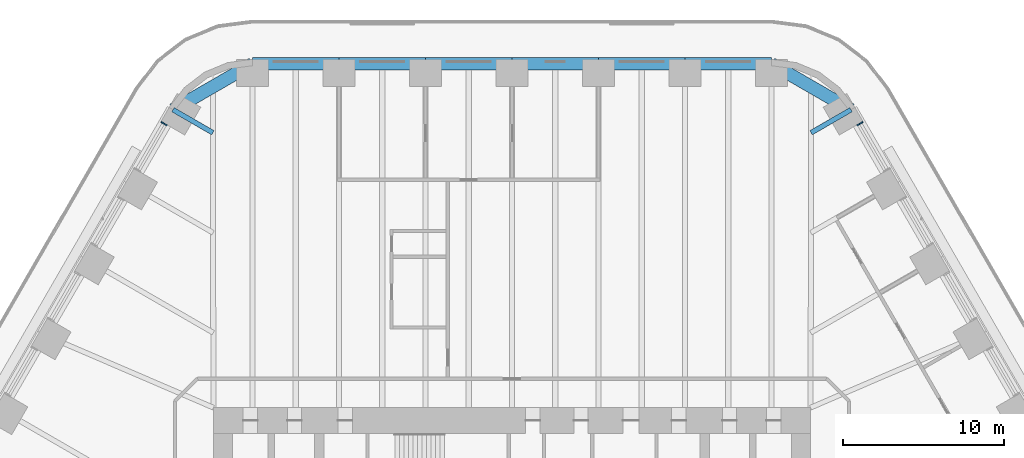
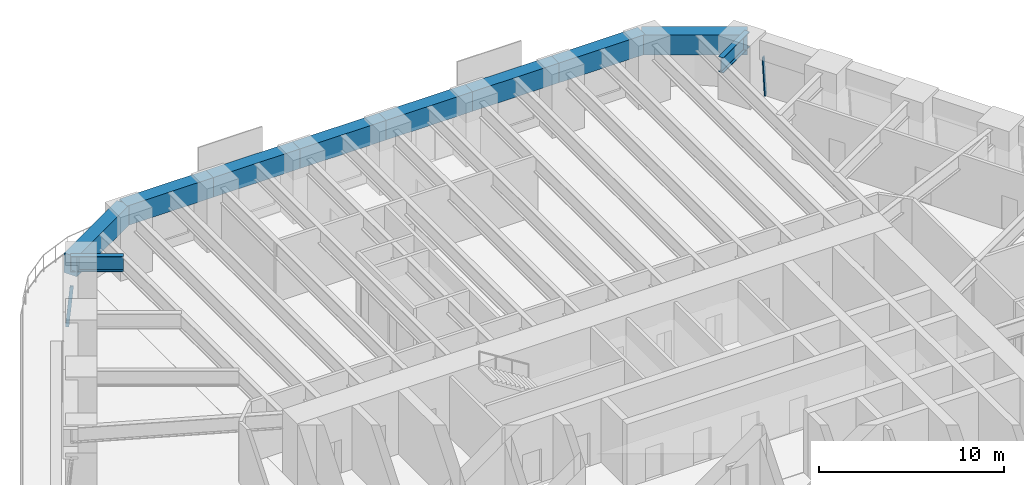
# One storey, part 14 of 24: 10 beams, 2 members, 2 elements without a shape of their own.
"""IFC4 building model written with IfcOpenShell, lengths in metres."""

from ifc_helpers import new_model, si_unit, direction, frame, origin, origin_2d, place, context, subcontext, project, spatial, rectangle, i_section, extrude, material, material_profile, profile_set, type_object, element, aggregate, save


model = new_model("IFC4")

# Units and contexts
model_context = context("Model", 3, precision=1e-05, world=origin(), true_north=direction((0.0, 1.0)))
body_context = subcontext(model_context, "Body", "Model", "MODEL_VIEW")
ifc_project = project(units=[si_unit("LENGTHUNIT", "METRE"), si_unit("AREAUNIT", "SQUARE_METRE"), si_unit("VOLUMEUNIT", "CUBIC_METRE"), si_unit("PLANEANGLEUNIT", "RADIAN"), si_unit("MASSUNIT", "GRAM", prefix="KILO")], contexts=[model_context])

# Site, building, storey
site_placement = place(None, origin())
site = spatial("IfcSite", under=ifc_project, at=site_placement, CompositionType="ELEMENT")
building_placement = place(site_placement, origin())
building = spatial("IfcBuilding", under=site, at=building_placement, Name="Tarfa Lantern Tower", CompositionType="ELEMENT")
storey_placement = place(building_placement, frame((0.0, 0.0, 73.89990234375)))
storey = spatial("IfcBuildingStorey", under=building, at=storey_placement, Name="L16", CompositionType="ELEMENT", Elevation=73.89990234375)

# Curtain wall, member
ifc_material_1 = material(Name="Aluminium framed curtain wall", Category="aluminium")
curtain_wall_type = type_object("IfcCurtainWallType", Name="CW1 CANTED GLAZING LOW ZONE 2700", PredefinedType="USERDEFINED", material=ifc_material_1)
curtain_wall_1_placement = place(storey_placement, origin())
curtain_wall_1 = element("IfcCurtainWall", 1, at=curtain_wall_1_placement, inside=storey, type_object=curtain_wall_type, Name="CW1 NE L16", ObjectType="CURTAIN WALL", PredefinedType="USERDEFINED")
ifc_material_2 = material(Name="Aluminium mullion", Category="aluminium")
ifc_material_profile_1 = material_profile(ifc_material_2, rectangle(XDim=0.06494140625, YDim=0.199951171875, at=origin_2d()), Name="AL MULLION 65x200")
ifc_profile_set_1 = profile_set([ifc_material_profile_1], Name="Aluminium mullion")
member_type = type_object("IfcMemberType", Name="CWM1 MULLION 65x200", PredefinedType="MULLION", material=ifc_profile_set_1)
member_1_placement = place(storey_placement, frame((21.79150390625, 30.055908203125, 0.0), z_axis=(-0.079767804165, -0.046096067418, 0.995747081335), x_axis=(0.500342721131, -0.865827443207, 0.0)))
member_1 = element("IfcMember", 2, at=member_1_placement, type_object=member_type, Name="CW1 mullion 2", PredefinedType="MULLION", context=body_context, shape_type="SweptSolid", body=[
    extrude(rectangle(XDim=0.06494140625, YDim=0.199951171875, at=origin_2d()), origin(), (0.0, 0.0, 1.0), 2.711669921875),
])
aggregate(curtain_wall_1, [member_1])

curtain_wall_2_placement = place(storey_placement, origin())
curtain_wall_2 = element("IfcCurtainWall", 3, at=curtain_wall_2_placement, inside=storey, type_object=curtain_wall_type, Name="CW1 NW L16", ObjectType="CURTAIN WALL", PredefinedType="USERDEFINED")
member_2_placement = place(storey_placement, frame((-21.79150390625, 30.055908203125, 0.0), z_axis=(0.079767804165, -0.046096067418, 0.995747081335), x_axis=(0.500342721131, 0.865827443207, 0.0)))
member_2 = element("IfcMember", 4, at=member_2_placement, type_object=member_type, Name="CW1 mullion 1", PredefinedType="MULLION", context=body_context, shape_type="SweptSolid", body=[
    extrude(rectangle(XDim=0.06494140625, YDim=0.199951171875, at=origin_2d()), origin(), (0.0, 0.0, 1.0), 2.711669921875),
])
aggregate(curtain_wall_2, [member_2])

# Beams
ifc_material_3 = material(Name="Concrete C80/95", Category="concrete")
ifc_material_profile_2 = material_profile(ifc_material_3, rectangle(XDim=0.800048828125, YDim=1.300048828125, at=origin_2d()), Name="RC 800x1300")
ifc_profile_set_2 = profile_set([ifc_material_profile_2], Name="Concrete C80/95")
beam_type_1 = type_object("IfcBeamType", Name="EB1 RC 800x1300", PredefinedType="SPANDREL", material=ifc_profile_set_2)
beam_1_placement = place(storey_placement, frame((21.119384765625, 30.860107421875, 3.35009765625), z_axis=(-0.866033479681, 0.499986011877, 0.0), x_axis=(-0.499986011877, -0.866033479681, 0.0)))
element("IfcBeam", 5, at=beam_1_placement, inside=storey, type_object=beam_type_1, Name="Edge beam NE6", PredefinedType="SPANDREL", context=body_context, shape_type="SweptSolid", body=[
    extrude(rectangle(XDim=0.800048828125, YDim=1.300048828125, at=origin_2d()), origin(), (0.0, 0.0, 1.0), 5.719970703125),
])
beam_2_placement = place(storey_placement, frame((16.165771484375, 33.719970703125, 3.35009765625), z_axis=(-1.0, 0.0, 0.0), x_axis=(0.0, -1.0, 0.0)))
element("IfcBeam", 6, at=beam_2_placement, inside=storey, type_object=beam_type_1, Name="Edge beam N0", PredefinedType="SPANDREL", context=body_context, shape_type="SweptSolid", body=[
    extrude(rectangle(XDim=0.800048828125, YDim=1.300048828125, at=origin_2d()), origin(), (0.0, 0.0, 1.0), 5.388671875),
])
beam_3_placement = place(storey_placement, frame((10.777099609375, 33.719970703125, 3.35009765625), z_axis=(-1.0, 0.0, 0.0), x_axis=(0.0, -1.0, 0.0)))
element("IfcBeam", 7, at=beam_3_placement, inside=storey, type_object=beam_type_1, Name="Edge beam N1", PredefinedType="SPANDREL", context=body_context, shape_type="SweptSolid", body=[
    extrude(rectangle(XDim=0.800048828125, YDim=1.300048828125, at=origin_2d()), origin(), (0.0, 0.0, 1.0), 5.388427734375),
])
for number, where, z_axis, x_axis, name in (
    (8, (5.388671875, 33.719970703125, 3.35009765625), (-1.0, 0.0, 0.0), (0.0, -1.0, 0.0), "Edge beam N2"),
    (9, (0.0, 33.719970703125, 3.35009765625), (-1.0, 0.0, 0.0), (0.0, -1.0, 0.0), "Edge beam N3"),
):
    element("IfcBeam", number, at=place(storey_placement, frame(where, z_axis=z_axis, x_axis=x_axis)), inside=storey, type_object=beam_type_1, Name=name, PredefinedType="SPANDREL", context=body_context, shape_type="SweptSolid", body=[
        extrude(rectangle(XDim=0.800048828125, YDim=1.300048828125, at=origin_2d()), origin(), (0.0, 0.0, 1.0), 5.388671875),
    ])
beam_4_placement = place(storey_placement, frame((-5.388671875, 33.719970703125, 3.35009765625), z_axis=(-1.0, 0.0, 0.0), x_axis=(0.0, -1.0, 0.0)))
element("IfcBeam", 10, at=beam_4_placement, inside=storey, type_object=beam_type_1, Name="Edge beam N4", PredefinedType="SPANDREL", context=body_context, shape_type="SweptSolid", body=[
    extrude(rectangle(XDim=0.800048828125, YDim=1.300048828125, at=origin_2d()), origin(), (0.0, 0.0, 1.0), 5.388427734375),
])
beam_5_placement = place(storey_placement, frame((-10.777099609375, 33.719970703125, 3.35009765625), z_axis=(-1.0, 0.0, 0.0), x_axis=(0.0, -1.0, 0.0)))
element("IfcBeam", 11, at=beam_5_placement, inside=storey, type_object=beam_type_1, Name="Edge beam N5", PredefinedType="SPANDREL", context=body_context, shape_type="SweptSolid", body=[
    extrude(rectangle(XDim=0.800048828125, YDim=1.300048828125, at=origin_2d()), origin(), (0.0, 0.0, 1.0), 5.388671875),
])
beam_6_placement = place(storey_placement, frame((-16.165771484375, 33.719970703125, 3.35009765625), z_axis=(-0.866033479681, -0.499986011877, 0.0), x_axis=(0.499986011877, -0.866033479681, 0.0)))
element("IfcBeam", 12, at=beam_6_placement, inside=storey, type_object=beam_type_1, Name="Edge beam N6", PredefinedType="SPANDREL", context=body_context, shape_type="SweptSolid", body=[
    extrude(rectangle(XDim=0.800048828125, YDim=1.300048828125, at=origin_2d()), origin(), (0.0, 0.0, 1.0), 5.719970703125),
])
ifc_material_4 = material(Name="Steel S460M", Category="steel")
ifc_material_profile_3 = material_profile(ifc_material_4, i_section(OverallWidth=0.302001953125, OverallDepth=1.008056640625, WebThickness=0.02099609375, FlangeThickness=0.0400390625, FilletRadius=0.030029296875, at=origin_2d()), Name="UB1016x305x349")
ifc_profile_set_3 = profile_set([ifc_material_profile_3], Name="Steel S460M")
beam_type_2 = type_object("IfcBeamType", Name="UB1016x305x349", PredefinedType="BEAM", material=ifc_profile_set_3)
for number, where, z_axis, x_axis, name in (
    (13, (21.119384765625, 30.860107421875, 3.49609375), (-0.866012580594, -0.500022209759, 0.0), (0.500022209759, -0.866012580594, 0.0), "Floor beam NE6"),
    (14, (-21.119384765625, 30.860107421875, 3.49609375), (0.866012580594, -0.500022209759, 0.0), (0.500022209759, 0.866012580594, 0.0), "Floor beam NW0"),
):
    element("IfcBeam", number, at=place(storey_placement, frame(where, z_axis=z_axis, x_axis=x_axis)), inside=storey, type_object=beam_type_2, Name=name, PredefinedType="BEAM", context=body_context, shape_type="SweptSolid", body=[
        extrude(i_section(OverallWidth=0.302001953125, OverallDepth=1.008056640625, WebThickness=0.02099609375, FlangeThickness=0.0400390625, FilletRadius=0.030029296875, at=origin_2d()), origin(), (0.0, 0.0, 1.0), 2.866943359375),
    ])

save(model, "model.ifc")
